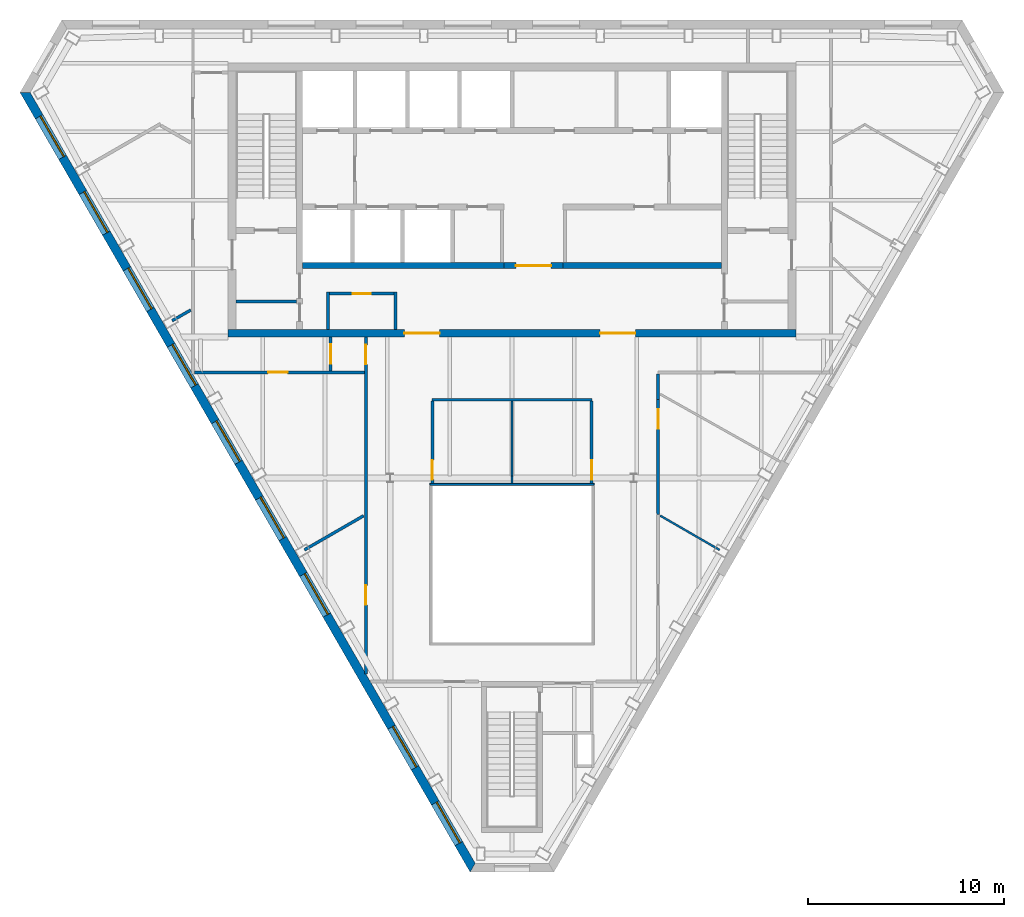
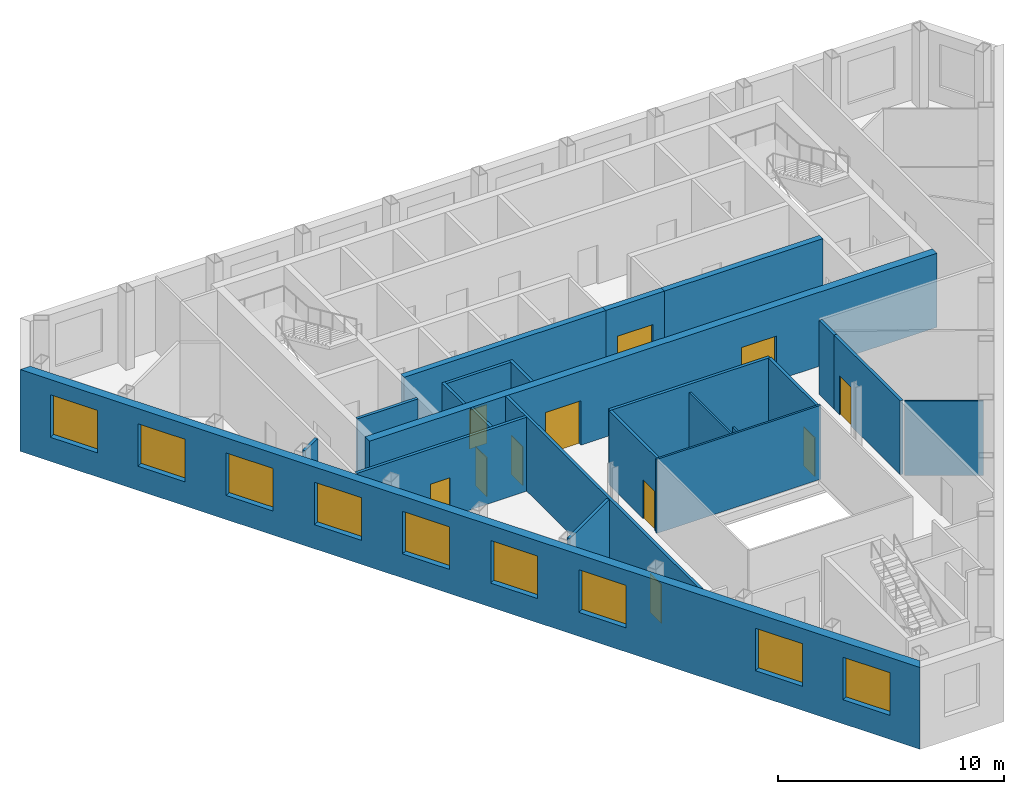
# One storey, part 4 of 9: 23 walls, 11 doors, 9 windows, 20 openings.
"""IFC4 building model written with IfcOpenShell, lengths in metres."""

from ifc_helpers import new_model, si_unit, direction, frame, frame_2d, origin, place, context, subcontext, project, spatial, polyline, rectangle, outline, extrude, material, layer, layer_set, type_object, element, fill, save


model = new_model("IFC4")

# Units and contexts
model_context = context("Model", 3, precision=1e-05, world=origin(), true_north=direction((0.0, 1.0)))
body_context = subcontext(model_context, "Body", "Model", "MODEL_VIEW")
ifc_project = project(units=[si_unit("LENGTHUNIT", "METRE"), si_unit("AREAUNIT", "SQUARE_METRE"), si_unit("VOLUMEUNIT", "CUBIC_METRE"), si_unit("PLANEANGLEUNIT", "RADIAN"), si_unit("MASSUNIT", "GRAM", prefix="KILO")], contexts=[model_context])

# Site, building, storey
site_placement = place(None, origin())
site = spatial("IfcSite", under=ifc_project, at=site_placement, CompositionType="ELEMENT")
building_placement = place(site_placement, origin())
building = spatial("IfcBuilding", under=site, at=building_placement, Name="Njiva Tower", CompositionType="ELEMENT")
storey_placement = place(building_placement, frame((0.0, 0.0, 325.2)))
storey = spatial("IfcBuildingStorey", under=building, at=storey_placement, Name="L74", CompositionType="ELEMENT", Elevation=325.2)

# Walls
ifc_material_1 = material(Name="Blockwork", Category="masonry")
ifc_layer_1 = layer(ifc_material_1, 0.15)
ifc_layer_set_1 = layer_set([ifc_layer_1], Name="Blockwork")
wall_type_1 = type_object("IfcWallType", Name="WT1 Compartment partition 150", PredefinedType="PARTITIONING", material=ifc_layer_set_1)
wall_1_placement = place(storey_placement, frame((-14.1, 5.825, 0.0), z_axis=(0.0, 0.0, 1.0), x_axis=(1.0, 0.0, 0.0)))
element("IfcWall", 1, at=wall_1_placement, inside=storey, type_object=wall_type_1, Name="Room wall A", PredefinedType="PARTITIONING", context=body_context, shape_type="SweptSolid", body=[
    extrude(rectangle(XDim=3.1, YDim=0.15, at=frame_2d((1.55, 0.0))), origin(), (0.0, 0.0, 1.0), 4.0),
])
for number, where, z_axis, x_axis, name in (
    (2, (-9.4, 4.4, 0.0), (0.0, 0.0, 1.0), (0.0, 1.0, 0.0), "First aid room wall west"),
    (3, (-5.95, 4.4, 0.0), (0.0, 0.0, 1.0), (0.0, 1.0, 0.0), "First aid room wall east"),
):
    element("IfcWall", number, at=place(storey_placement, frame(where, z_axis=z_axis, x_axis=x_axis)), inside=storey, type_object=wall_type_1, Name=name, PredefinedType="PARTITIONING", context=body_context, shape_type="SweptSolid", body=[
        extrude(rectangle(XDim=1.895, YDim=0.15, at=frame_2d((0.9475, 0.0))), origin(), (0.0, 0.0, 1.0), 4.0),
    ])

# Wall, opening, door
wall_2_placement = place(storey_placement, frame((-9.325, 6.22, 0.0), z_axis=(0.0, 0.0, 1.0), x_axis=(1.0, 0.0, 0.0)))
wall_2 = element("IfcWall", 4, at=wall_2_placement, inside=storey, type_object=wall_type_1, Name="First aid room wall north", PredefinedType="PARTITIONING", context=body_context, shape_type="SweptSolid", body=[
    extrude(rectangle(XDim=3.3, YDim=0.15, at=frame_2d((1.65, 0.0))), origin(), (0.0, 0.0, 1.0), 4.0),
])
opening_1_placement = place(wall_2_placement, frame((1.2, 0.0, 0.0)))
opening_1 = element("IfcOpeningElement", 5, at=opening_1_placement, cuts=wall_2, Name="Opening S25-D923", PredefinedType="OPENING", context=body_context, shape_type="SweptSolid", body=[
    extrude(rectangle(XDim=0.9, YDim=2.1, at=frame_2d((0.45, 1.05))), frame((0.0, 0.085, 0.0), z_axis=(0.0, -1.0, 0.0), x_axis=(1.0, 0.0, 0.0)), (0.0, 0.0, 1.0), 0.17),
])
ifc_material_2 = material(Name="Steel fire door, painted", Category="steel")
door_type_1 = type_object("IfcDoorType", Name="D6 Fire-rated door 900x2100", OperationType="SINGLE_SWING_LEFT", PredefinedType="DOOR", material=ifc_material_2)
door_1_placement = place(opening_1_placement, origin())
door_1 = element("IfcDoor", 6, at=door_1_placement, inside=storey, type_object=door_type_1, Name="First aid room door", OperationType="SINGLE_SWING_RIGHT", OverallHeight=2.1, OverallWidth=0.9, PredefinedType="DOOR", context=body_context, shape_type="SweptSolid", body=[
    extrude(rectangle(XDim=0.9, YDim=2.1, at=frame_2d((0.45, 1.05))), frame((0.0, 0.025, 0.0), z_axis=(0.0, -1.0, 0.0), x_axis=(1.0, 0.0, 0.0)), (0.0, 0.0, 1.0), 0.05),
])
fill(opening_1, door_1)

# Wall, openings, doors
ifc_material_3 = material(Name="Concrete C60/75", Category="concrete")
ifc_layer_2 = layer(ifc_material_3, 0.4)
ifc_layer_set_2 = layer_set([ifc_layer_2], Name="Concrete C60/75")
wall_type_2 = type_object("IfcWallType", Name="WT11 Core wall 400", PredefinedType="SHEAR", material=ifc_layer_set_2)
wall_3_placement = place(storey_placement, frame((-14.5, 4.2, 0.0), z_axis=(0.0, 0.0, 1.0), x_axis=(1.0, 0.0, 0.0)))
wall_3 = element("IfcWall", 7, at=wall_3_placement, inside=storey, type_object=wall_type_2, Name="Core wall south", PredefinedType="SHEAR", context=body_context, shape_type="SweptSolid", body=[
    extrude(rectangle(XDim=29.0, YDim=0.4, at=frame_2d((14.5, 0.0))), origin(), (0.0, 0.0, 1.0), 4.0),
])
opening_2_placement = place(wall_3_placement, frame((9.0, 0.0, 0.0)))
opening_2 = element("IfcOpeningElement", 8, at=opening_2_placement, cuts=wall_3, Name="Opening S25-D925", PredefinedType="OPENING", context=body_context, shape_type="SweptSolid", body=[
    extrude(rectangle(XDim=1.8, YDim=2.4, at=frame_2d((0.9, 1.2))), frame((0.0, 0.21, 0.0), z_axis=(0.0, -1.0, 0.0), x_axis=(1.0, 0.0, 0.0)), (0.0, 0.0, 1.0), 0.42),
])
opening_3_placement = place(wall_3_placement, frame((19.0, 0.0, 0.0)))
opening_3 = element("IfcOpeningElement", 9, at=opening_3_placement, cuts=wall_3, Name="Opening S25-D926", PredefinedType="OPENING", context=body_context, shape_type="SweptSolid", body=[
    extrude(rectangle(XDim=1.8, YDim=2.4, at=frame_2d((0.9, 1.2))), frame((0.0, 0.21, 0.0), z_axis=(0.0, -1.0, 0.0), x_axis=(1.0, 0.0, 0.0)), (0.0, 0.0, 1.0), 0.42),
])
ifc_material_4 = material(Name="Steel and glass door", Category="steel")
door_type_2 = type_object("IfcDoorType", Name="D3 Core entrance door 1800x2400", OperationType="DOUBLE_DOOR_SINGLE_SWING", PredefinedType="DOOR", material=ifc_material_4)
door_2_placement = place(opening_2_placement, origin())
door_2 = element("IfcDoor", 10, at=door_2_placement, inside=storey, type_object=door_type_2, Name="Core entrance door", OperationType="DOUBLE_DOOR_SINGLE_SWING", OverallHeight=2.4, OverallWidth=1.8, PredefinedType="DOOR", context=body_context, shape_type="SweptSolid", body=[
    extrude(rectangle(XDim=1.8, YDim=2.4, at=frame_2d((0.9, 1.2))), frame((0.0, 0.025, 0.0), z_axis=(0.0, -1.0, 0.0), x_axis=(1.0, 0.0, 0.0)), (0.0, 0.0, 1.0), 0.05),
])
fill(opening_2, door_2)
door_3_placement = place(opening_3_placement, origin())
door_3 = element("IfcDoor", 11, at=door_3_placement, inside=storey, type_object=door_type_2, Name="Core entrance door", OperationType="DOUBLE_DOOR_SINGLE_SWING", OverallHeight=2.4, OverallWidth=1.8, PredefinedType="DOOR", context=body_context, shape_type="SweptSolid", body=[
    extrude(rectangle(XDim=1.8, YDim=2.4, at=frame_2d((0.9, 1.2))), frame((0.0, 0.025, 0.0), z_axis=(0.0, -1.0, 0.0), x_axis=(1.0, 0.0, 0.0)), (0.0, 0.0, 1.0), 0.05),
])
fill(opening_3, door_3)

# Walls
ifc_material_5 = material(Name="Gypsum board on steel studs", Category="gypsum")
ifc_layer_3 = layer(ifc_material_5, 0.1)
ifc_layer_set_3 = layer_set([ifc_layer_3], Name="Gypsum board on steel studs")
wall_type_3 = type_object("IfcWallType", Name="WT20 Gypsum partition 100", PredefinedType="PARTITIONING", material=ifc_layer_set_3)
wall_4_placement = place(storey_placement, frame((-0.001, 0.725, 0.0), z_axis=(0.0, 0.0, 1.0), x_axis=(0.000235294111, -0.999999972318, 0.0)))
element("IfcWall", 12, at=wall_4_placement, inside=storey, type_object=wall_type_3, Name="Partition S25-P014", PredefinedType="PARTITIONING", context=body_context, shape_type="SweptSolid", body=[
    extrude(rectangle(XDim=3.825, YDim=0.1, at=frame_2d((1.9125, 0.0))), origin(), (0.0, 0.0, 1.0), 3.55),
])
wall_5_placement = place(storey_placement, frame((-0.0001, -3.1, 0.0), z_axis=(0.0, 0.0, 1.0), x_axis=(0.000263157886, -0.999999965374, 0.0)))
element("IfcWall", 13, at=wall_5_placement, inside=storey, type_object=wall_type_3, Name="Partition S25-P014A", PredefinedType="PARTITIONING", context=body_context, shape_type="SweptSolid", body=[
    extrude(rectangle(XDim=0.38, YDim=0.1, at=frame_2d((0.19, 0.0))), origin(), (0.0, 0.0, 1.0), 4.0),
])
wall_6_placement = place(storey_placement, frame((7.57, -5.121, 0.0), z_axis=(0.0, 0.0, 1.0), x_axis=(0.865933726818, -0.500158755556, 0.0)))
element("IfcWall", 14, at=wall_6_placement, inside=storey, type_object=wall_type_3, Name="Partition S25-P022", PredefinedType="PARTITIONING", context=body_context, shape_type="SweptSolid", body=[
    extrude(rectangle(XDim=3.5049, YDim=0.1, at=frame_2d((1.7524, 0.0))), origin(), (0.0, 0.0, 1.0), 4.0),
])
ifc_layer_4 = layer(ifc_material_5, 0.15)
ifc_layer_set_4 = layer_set([ifc_layer_4], Name="Gypsum board on steel studs")
wall_type_4 = type_object("IfcWallType", Name="WT21 Compartment wall 150", PredefinedType="PARTITIONING", material=ifc_layer_set_4)
wall_7_placement = place(storey_placement, frame((-17.365, 4.836, 0.0), z_axis=(0.0, 0.0, 1.0), x_axis=(0.86650329071, 0.499171360545, 0.0)))
element("IfcWall", 15, at=wall_7_placement, inside=storey, type_object=wall_type_4, Name="Partition S25-P003", PredefinedType="PARTITIONING", context=body_context, shape_type="SweptSolid", body=[
    extrude(rectangle(XDim=1.0998, YDim=0.15, at=frame_2d((0.5499, 0.0))), origin(), (0.0, 0.0, 1.0), 4.0),
])

# Wall, opening, door
wall_8_placement = place(storey_placement, frame((-16.225, 2.2, 0.0), z_axis=(0.0, 0.0, 1.0), x_axis=(1.0, 0.0, 0.0)))
wall_8 = element("IfcWall", 16, at=wall_8_placement, inside=storey, type_object=wall_type_4, Name="Partition S25-P006", PredefinedType="PARTITIONING", context=body_context, shape_type="SweptSolid", body=[
    extrude(rectangle(XDim=8.68, YDim=0.15, at=frame_2d((4.34, 0.0))), origin(), (0.0, 0.0, 1.0), 4.0),
])
opening_4_placement = place(wall_8_placement, frame((3.765, 0.0, 0.0)))
opening_4 = element("IfcOpeningElement", 17, at=opening_4_placement, cuts=wall_8, Name="Opening S25-D003", PredefinedType="OPENING", context=body_context, shape_type="SweptSolid", body=[
    extrude(rectangle(XDim=1.0, YDim=2.1, at=frame_2d((0.5, 1.05))), frame((0.0, 0.085, 0.0), z_axis=(0.0, -1.0, 0.0), x_axis=(1.0, 0.0, 0.0)), (0.0, 0.0, 1.0), 0.17),
])
ifc_material_6 = material(Name="Steel fire door set", Category="steel")
door_type_3 = type_object("IfcDoorType", Name="D37 Fire door 1000x2100", OperationType="SINGLE_SWING_LEFT", PredefinedType="DOOR", material=ifc_material_6)
door_4_placement = place(opening_4_placement, origin())
door_4 = element("IfcDoor", 18, at=door_4_placement, inside=storey, type_object=door_type_3, Name="Door S25-D003", OperationType="SINGLE_SWING_LEFT", OverallHeight=2.1, OverallWidth=1.0, PredefinedType="DOOR", context=body_context, shape_type="SweptSolid", body=[
    extrude(rectangle(XDim=1.0, YDim=2.1, at=frame_2d((0.5, 1.05))), frame((0.0, 0.025, 0.0), z_axis=(0.0, -1.0, 0.0), x_axis=(1.0, 0.0, 0.0)), (0.0, 0.0, 1.0), 0.05),
])
fill(opening_4, door_4)

# Wall
wall_9_placement = place(storey_placement, frame((-10.605, -6.873, 0.0), z_axis=(0.0, 0.0, 1.0), x_axis=(0.866190356265, 0.499714185023, 0.0)))
element("IfcWall", 19, at=wall_9_placement, inside=storey, type_object=wall_type_4, Name="Partition S25-P008", PredefinedType="PARTITIONING", context=body_context, shape_type="SweptSolid", body=[
    extrude(rectangle(XDim=3.49, YDim=0.15, at=frame_2d((1.745, 0.0))), origin(), (0.0, 0.0, 1.0), 4.0),
])

# Wall, opening, door
wall_10_placement = place(storey_placement, frame((-9.27, 2.275, 0.0), z_axis=(0.0, 0.0, 1.0), x_axis=(0.0, 1.0, 0.0)))
wall_10 = element("IfcWall", 20, at=wall_10_placement, inside=storey, type_object=wall_type_4, Name="Partition S25-P009", PredefinedType="PARTITIONING", context=body_context, shape_type="SweptSolid", body=[
    extrude(rectangle(XDim=1.725, YDim=0.15, at=frame_2d((0.8625, 0.0))), origin(), (0.0, 0.0, 1.0), 4.0),
])
opening_5_placement = place(wall_10_placement, frame((0.362, 0.0, 0.0)))
opening_5 = element("IfcOpeningElement", 21, at=opening_5_placement, cuts=wall_10, Name="Opening S25-D005", PredefinedType="OPENING", context=body_context, shape_type="SweptSolid", body=[
    extrude(rectangle(XDim=1.0, YDim=2.1, at=frame_2d((0.5, 1.05))), frame((0.0, 0.085, 0.0), z_axis=(0.0, -1.0, 0.0), x_axis=(1.0, 0.0, 0.0)), (0.0, 0.0, 1.0), 0.17),
])
door_5_placement = place(opening_5_placement, origin())
door_5 = element("IfcDoor", 22, at=door_5_placement, inside=storey, type_object=door_type_3, Name="Door S25-D005", OperationType="SINGLE_SWING_RIGHT", OverallHeight=2.1, OverallWidth=1.0, PredefinedType="DOOR", context=body_context, shape_type="SweptSolid", body=[
    extrude(rectangle(XDim=1.0, YDim=2.1, at=frame_2d((0.5, 1.05))), frame((0.0, 0.025, 0.0), z_axis=(0.0, -1.0, 0.0), x_axis=(1.0, 0.0, 0.0)), (0.0, 0.0, 1.0), 0.05),
])
fill(opening_5, door_5)

# Wall, openings, doors
wall_11_placement = place(storey_placement, frame((-7.47, -13.203, 0.0), z_axis=(0.0, 0.0, 1.0), x_axis=(0.0, 1.0, 0.0)))
wall_11 = element("IfcWall", 23, at=wall_11_placement, inside=storey, type_object=wall_type_4, Name="Partition S25-P010", PredefinedType="PARTITIONING", context=body_context, shape_type="SweptSolid", body=[
    extrude(rectangle(XDim=17.203, YDim=0.15, at=frame_2d((8.6015, 0.0))), origin(), (0.0, 0.0, 1.0), 4.0),
])
opening_6_placement = place(wall_11_placement, frame((3.519, 0.0, 0.0)))
opening_6 = element("IfcOpeningElement", 24, at=opening_6_placement, cuts=wall_11, Name="Opening S25-D006", PredefinedType="OPENING", context=body_context, shape_type="SweptSolid", body=[
    extrude(rectangle(XDim=1.0, YDim=2.1, at=frame_2d((0.5, 1.05))), frame((0.0, 0.085, 0.0), z_axis=(0.0, -1.0, 0.0), x_axis=(1.0, 0.0, 0.0)), (0.0, 0.0, 1.0), 0.17),
])
opening_7_placement = place(wall_11_placement, frame((15.803, 0.0, 0.0)))
opening_7 = element("IfcOpeningElement", 25, at=opening_7_placement, cuts=wall_11, Name="Opening S25-D007", PredefinedType="OPENING", context=body_context, shape_type="SweptSolid", body=[
    extrude(rectangle(XDim=1.0, YDim=2.1, at=frame_2d((0.5, 1.05))), frame((0.0, 0.085, 0.0), z_axis=(0.0, -1.0, 0.0), x_axis=(1.0, 0.0, 0.0)), (0.0, 0.0, 1.0), 0.17),
])
door_6_placement = place(opening_6_placement, origin())
door_6 = element("IfcDoor", 26, at=door_6_placement, inside=storey, type_object=door_type_3, Name="Door S25-D006", OperationType="SINGLE_SWING_RIGHT", OverallHeight=2.1, OverallWidth=1.0, PredefinedType="DOOR", context=body_context, shape_type="SweptSolid", body=[
    extrude(rectangle(XDim=1.0, YDim=2.1, at=frame_2d((0.5, 1.05))), frame((0.0, 0.025, 0.0), z_axis=(0.0, -1.0, 0.0), x_axis=(1.0, 0.0, 0.0)), (0.0, 0.0, 1.0), 0.05),
])
fill(opening_6, door_6)
door_7_placement = place(opening_7_placement, origin())
door_7 = element("IfcDoor", 27, at=door_7_placement, inside=storey, type_object=door_type_3, Name="Door S25-D007", OperationType="SINGLE_SWING_LEFT", OverallHeight=2.1, OverallWidth=1.0, PredefinedType="DOOR", context=body_context, shape_type="SweptSolid", body=[
    extrude(rectangle(XDim=1.0, YDim=2.1, at=frame_2d((0.5, 1.05))), frame((0.0, 0.025, 0.0), z_axis=(0.0, -1.0, 0.0), x_axis=(1.0, 0.0, 0.0)), (0.0, 0.0, 1.0), 0.05),
])
fill(opening_7, door_7)

# Wall
wall_12_placement = place(storey_placement, frame((-4.082, 0.8, 0.0), z_axis=(0.0, 0.0, 1.0), x_axis=(1.0, 0.0, 0.0)))
element("IfcWall", 28, at=wall_12_placement, inside=storey, type_object=wall_type_4, Name="Partition S25-P012", PredefinedType="PARTITIONING", context=body_context, shape_type="SweptSolid", body=[
    extrude(rectangle(XDim=8.163, YDim=0.15, at=frame_2d((4.0815, 0.0))), origin(), (0.0, 0.0, 1.0), 4.0),
])

# Wall, opening, door
wall_13_placement = place(storey_placement, frame((-4.07, 0.725, 0.0), z_axis=(0.0, 0.0, 1.0), x_axis=(0.000237812122, -0.999999971723, 0.0)))
wall_13 = element("IfcWall", 29, at=wall_13_placement, inside=storey, type_object=wall_type_4, Name="Partition S25-P013", PredefinedType="PARTITIONING", context=body_context, shape_type="SweptSolid", body=[
    extrude(rectangle(XDim=4.205, YDim=0.15, at=frame_2d((2.1025, 0.0))), origin(), (0.0, 0.0, 1.0), 4.0),
])
opening_8_placement = place(wall_13_placement, frame((3.005, 0.0, 0.0)))
opening_8 = element("IfcOpeningElement", 30, at=opening_8_placement, cuts=wall_13, Name="Opening S25-D009", PredefinedType="OPENING", context=body_context, shape_type="SweptSolid", body=[
    extrude(rectangle(XDim=1.0, YDim=2.1, at=frame_2d((0.5, 1.05))), frame((0.0, 0.085, 0.0), z_axis=(0.0, -1.0, 0.0), x_axis=(1.0, 0.0, 0.0)), (0.0, 0.0, 1.0), 0.17),
])
door_8_placement = place(opening_8_placement, origin())
door_8 = element("IfcDoor", 31, at=door_8_placement, inside=storey, type_object=door_type_3, Name="Door S25-D009", OperationType="SINGLE_SWING_LEFT", OverallHeight=2.1, OverallWidth=1.0, PredefinedType="DOOR", context=body_context, shape_type="SweptSolid", body=[
    extrude(rectangle(XDim=1.0, YDim=2.1, at=frame_2d((0.5, 1.05))), frame((0.0, 0.025, 0.0), z_axis=(0.0, -1.0, 0.0), x_axis=(1.0, 0.0, 0.0)), (0.0, 0.0, 1.0), 0.05),
])
fill(opening_8, door_8)

wall_14_placement = place(storey_placement, frame((4.069, 0.725, 0.0), z_axis=(0.0, 0.0, 1.0), x_axis=(0.000237812122, -0.999999971723, 0.0)))
wall_14 = element("IfcWall", 32, at=wall_14_placement, inside=storey, type_object=wall_type_4, Name="Partition S25-P015", PredefinedType="PARTITIONING", context=body_context, shape_type="SweptSolid", body=[
    extrude(rectangle(XDim=4.205, YDim=0.15, at=frame_2d((2.1025, 0.0))), origin(), (0.0, 0.0, 1.0), 4.0),
])
opening_9_placement = place(wall_14_placement, frame((3.005, 0.0, 0.0)))
opening_9 = element("IfcOpeningElement", 33, at=opening_9_placement, cuts=wall_14, Name="Opening S25-D010", PredefinedType="OPENING", context=body_context, shape_type="SweptSolid", body=[
    extrude(rectangle(XDim=1.0, YDim=2.1, at=frame_2d((0.5, 1.05))), frame((0.0, 0.085, 0.0), z_axis=(0.0, -1.0, 0.0), x_axis=(1.0, 0.0, 0.0)), (0.0, 0.0, 1.0), 0.17),
])
door_9_placement = place(opening_9_placement, origin())
door_9 = element("IfcDoor", 34, at=door_9_placement, inside=storey, type_object=door_type_3, Name="Door S25-D010", OperationType="SINGLE_SWING_RIGHT", OverallHeight=2.1, OverallWidth=1.0, PredefinedType="DOOR", context=body_context, shape_type="SweptSolid", body=[
    extrude(rectangle(XDim=1.0, YDim=2.1, at=frame_2d((0.5, 1.05))), frame((0.0, 0.025, 0.0), z_axis=(0.0, -1.0, 0.0), x_axis=(1.0, 0.0, 0.0)), (0.0, 0.0, 1.0), 0.05),
])
fill(opening_9, door_9)

wall_15_placement = place(storey_placement, frame((7.47, 0.812, 0.0), z_axis=(0.0, 0.0, 1.0), x_axis=(0.000170502981, -0.999999985464, 0.0)))
wall_15 = element("IfcWall", 35, at=wall_15_placement, inside=storey, type_object=wall_type_4, Name="Partition S25-P018", PredefinedType="PARTITIONING", context=body_context, shape_type="SweptSolid", body=[
    extrude(rectangle(XDim=5.865, YDim=0.15, at=frame_2d((2.9325, 0.0))), origin(), (0.0, 0.0, 1.0), 4.0),
])
opening_10_placement = place(wall_15_placement, frame((0.504, 0.0, 0.0)))
opening_10 = element("IfcOpeningElement", 36, at=opening_10_placement, cuts=wall_15, Name="Opening S25-D012", PredefinedType="OPENING", context=body_context, shape_type="SweptSolid", body=[
    extrude(rectangle(XDim=1.0, YDim=2.1, at=frame_2d((0.5, 1.05))), frame((0.0, 0.085, 0.0), z_axis=(0.0, -1.0, 0.0), x_axis=(1.0, 0.0, 0.0)), (0.0, 0.0, 1.0), 0.17),
])
door_10_placement = place(opening_10_placement, origin())
door_10 = element("IfcDoor", 37, at=door_10_placement, inside=storey, type_object=door_type_3, Name="Door S25-D012", OperationType="SINGLE_SWING_RIGHT", OverallHeight=2.1, OverallWidth=1.0, PredefinedType="DOOR", context=body_context, shape_type="SweptSolid", body=[
    extrude(rectangle(XDim=1.0, YDim=2.1, at=frame_2d((0.5, 1.05))), frame((0.0, 0.025, 0.0), z_axis=(0.0, -1.0, 0.0), x_axis=(1.0, 0.0, 0.0)), (0.0, 0.0, 1.0), 0.05),
])
fill(opening_10, door_10)

# Wall
wall_16_placement = place(storey_placement, frame((7.47, 0.812, 0.0), z_axis=(0.0, 0.0, 1.0), x_axis=(0.0, 1.0, 0.0)))
element("IfcWall", 38, at=wall_16_placement, inside=storey, type_object=wall_type_4, Name="Partition S25-P019", PredefinedType="PARTITIONING", context=body_context, shape_type="SweptSolid", body=[
    extrude(rectangle(XDim=1.313, YDim=0.15, at=frame_2d((0.6565, 0.0))), origin(), (0.0, 0.0, 1.0), 4.0),
])

# Wall, opening, door
ifc_layer_5 = layer(ifc_material_1, 0.3)
ifc_layer_set_5 = layer_set([ifc_layer_5], Name="Blockwork")
wall_type_5 = type_object("IfcWallType", Name="WT5 Lobby partition 300", PredefinedType="PARTITIONING", material=ifc_layer_set_5)
wall_17_placement = place(storey_placement, frame((-0.4, 7.65, 0.0), z_axis=(0.0, 0.0, 1.0), x_axis=(1.0, 0.0, 0.0)))
wall_17 = element("IfcWall", 39, at=wall_17_placement, inside=storey, type_object=wall_type_5, Name="Lift lobby screen wall", PredefinedType="PARTITIONING", context=body_context, shape_type="SweptSolid", body=[
    extrude(rectangle(XDim=3.0, YDim=0.3, at=frame_2d((1.5, 0.0))), origin(), (0.0, 0.0, 1.0), 4.0),
])
opening_11_placement = place(wall_17_placement, frame((0.6, 0.0, 0.0)))
opening_11 = element("IfcOpeningElement", 40, at=opening_11_placement, cuts=wall_17, Name="Opening S25-D924", PredefinedType="OPENING", context=body_context, shape_type="SweptSolid", body=[
    extrude(rectangle(XDim=1.8, YDim=2.4, at=frame_2d((0.9, 1.2))), frame((0.0, 0.16, 0.0), z_axis=(0.0, -1.0, 0.0), x_axis=(1.0, 0.0, 0.0)), (0.0, 0.0, 1.0), 0.32),
])
door_11_placement = place(opening_11_placement, origin())
door_11 = element("IfcDoor", 41, at=door_11_placement, inside=storey, type_object=door_type_2, Name="Core entrance door", OperationType="DOUBLE_DOOR_SINGLE_SWING", OverallHeight=2.4, OverallWidth=1.8, PredefinedType="DOOR", context=body_context, shape_type="SweptSolid", body=[
    extrude(rectangle(XDim=1.8, YDim=2.4, at=frame_2d((0.9, 1.2))), frame((0.0, 0.025, 0.0), z_axis=(0.0, -1.0, 0.0), x_axis=(1.0, 0.0, 0.0)), (0.0, 0.0, 1.0), 0.05),
])
fill(opening_11, door_11)

# Walls
ifc_material_7 = material(Name="Concrete C40/50", Category="concrete")
ifc_layer_6 = layer(ifc_material_7, 0.3)
ifc_layer_set_6 = layer_set([ifc_layer_6], Name="Concrete C40/50")
wall_type_6 = type_object("IfcWallType", Name="WT7 Lift shaft wall 300", PredefinedType="SHEAR", material=ifc_layer_set_6)
wall_18_placement = place(storey_placement, frame((-10.7, 7.65, 0.0), z_axis=(0.0, 0.0, 1.0), x_axis=(1.0, 0.0, 0.0)))
element("IfcWall", 42, at=wall_18_placement, inside=storey, type_object=wall_type_6, Name="Shaft wall south row back W", PredefinedType="SHEAR", context=body_context, shape_type="SweptSolid", body=[
    extrude(rectangle(XDim=10.3, YDim=0.3, at=frame_2d((5.15, 0.0))), origin(), (0.0, 0.0, 1.0), 4.0),
])
wall_19_placement = place(storey_placement, frame((2.6, 7.65, 0.0), z_axis=(0.0, 0.0, 1.0), x_axis=(1.0, 0.0, 0.0)))
element("IfcWall", 43, at=wall_19_placement, inside=storey, type_object=wall_type_6, Name="Shaft wall south row back E", PredefinedType="SHEAR", context=body_context, shape_type="SweptSolid", body=[
    extrude(rectangle(XDim=8.1, YDim=0.3, at=frame_2d((4.05, 0.0))), origin(), (0.0, 0.0, 1.0), 4.0),
])

# Wall, openings, windows
ifc_material_8 = material(Name="Brick masonry", Category="masonry")
ifc_layer_7 = layer(ifc_material_8, 0.45)
ifc_layer_set_7 = layer_set([ifc_layer_7], Name="Brick masonry")
wall_type_7 = type_object("IfcWallType", Name="WT90 Brick pier and spandrel wall 450", PredefinedType="SOLIDWALL", material=ifc_layer_set_7)
wall_20_placement = place(storey_placement, frame((-24.8752, 16.4934, -0.4), z_axis=(0.0, 0.0, 1.0), x_axis=(0.500000141277, -0.866025322218, 0.0)))
wall_20 = element("IfcWall", 44, at=wall_20_placement, inside=storey, type_object=wall_type_7, Name="Facade wall SW", PredefinedType="SOLIDWALL", context=body_context, shape_type="SweptSolid", body=[
    extrude(outline(polyline([(-0.1299, -0.225), (45.8601, -0.225), (45.6003, 0.225), (0.1299, 0.225), (-0.1299, -0.225)])), origin(), (0.0, 0.0, 1.0), 4.42),
])
opening_12_placement = place(wall_20_placement, frame((1.4237, 0.0, 1.3)))
opening_12 = element("IfcOpeningElement", 45, at=opening_12_placement, cuts=wall_20, Name="Opening S25-W09", PredefinedType="OPENING", context=body_context, shape_type="SweptSolid", body=[
    extrude(rectangle(XDim=2.4, YDim=2.3, at=frame_2d((1.2, 1.15))), frame((0.0, 0.235, 0.0), z_axis=(0.0, -1.0, 0.0), x_axis=(1.0, 0.0, 0.0)), (0.0, 0.0, 1.0), 0.47),
])
opening_13_placement = place(wall_20_placement, frame((5.8919, 0.0, 1.3)))
opening_13 = element("IfcOpeningElement", 46, at=opening_13_placement, cuts=wall_20, Name="Opening S25-W10", PredefinedType="OPENING", context=body_context, shape_type="SweptSolid", body=[
    extrude(rectangle(XDim=2.4, YDim=2.3, at=frame_2d((1.2, 1.15))), frame((0.0, 0.235, 0.0), z_axis=(0.0, -1.0, 0.0), x_axis=(1.0, 0.0, 0.0)), (0.0, 0.0, 1.0), 0.47),
])
opening_14_placement = place(wall_20_placement, frame((10.3985, 0.0, 1.3)))
opening_14 = element("IfcOpeningElement", 47, at=opening_14_placement, cuts=wall_20, Name="Opening S25-W11", PredefinedType="OPENING", context=body_context, shape_type="SweptSolid", body=[
    extrude(rectangle(XDim=2.4, YDim=2.3, at=frame_2d((1.2, 1.15))), frame((0.0, 0.235, 0.0), z_axis=(0.0, -1.0, 0.0), x_axis=(1.0, 0.0, 0.0)), (0.0, 0.0, 1.0), 0.47),
])
opening_15_placement = place(wall_20_placement, frame((14.9052, 0.0, 1.3)))
opening_15 = element("IfcOpeningElement", 48, at=opening_15_placement, cuts=wall_20, Name="Opening S25-W12", PredefinedType="OPENING", context=body_context, shape_type="SweptSolid", body=[
    extrude(rectangle(XDim=2.4, YDim=2.3, at=frame_2d((1.2, 1.15))), frame((0.0, 0.235, 0.0), z_axis=(0.0, -1.0, 0.0), x_axis=(1.0, 0.0, 0.0)), (0.0, 0.0, 1.0), 0.47),
])
opening_16_placement = place(wall_20_placement, frame((19.4118, 0.0, 1.3)))
opening_16 = element("IfcOpeningElement", 49, at=opening_16_placement, cuts=wall_20, Name="Opening S25-W13", PredefinedType="OPENING", context=body_context, shape_type="SweptSolid", body=[
    extrude(rectangle(XDim=2.4, YDim=2.3, at=frame_2d((1.2, 1.15))), frame((0.0, 0.235, 0.0), z_axis=(0.0, -1.0, 0.0), x_axis=(1.0, 0.0, 0.0)), (0.0, 0.0, 1.0), 0.47),
])
opening_17_placement = place(wall_20_placement, frame((23.9184, 0.0, 1.3)))
opening_17 = element("IfcOpeningElement", 50, at=opening_17_placement, cuts=wall_20, Name="Opening S25-W14", PredefinedType="OPENING", context=body_context, shape_type="SweptSolid", body=[
    extrude(rectangle(XDim=2.4, YDim=2.3, at=frame_2d((1.2, 1.15))), frame((0.0, 0.235, 0.0), z_axis=(0.0, -1.0, 0.0), x_axis=(1.0, 0.0, 0.0)), (0.0, 0.0, 1.0), 0.47),
])
opening_18_placement = place(wall_20_placement, frame((28.425, 0.0, 1.3)))
opening_18 = element("IfcOpeningElement", 51, at=opening_18_placement, cuts=wall_20, Name="Opening S25-W15", PredefinedType="OPENING", context=body_context, shape_type="SweptSolid", body=[
    extrude(rectangle(XDim=2.4, YDim=2.3, at=frame_2d((1.2, 1.15))), frame((0.0, 0.235, 0.0), z_axis=(0.0, -1.0, 0.0), x_axis=(1.0, 0.0, 0.0)), (0.0, 0.0, 1.0), 0.47),
])
opening_19_placement = place(wall_20_placement, frame((37.4383, 0.0, 1.3)))
opening_19 = element("IfcOpeningElement", 52, at=opening_19_placement, cuts=wall_20, Name="Opening S25-W16", PredefinedType="OPENING", context=body_context, shape_type="SweptSolid", body=[
    extrude(rectangle(XDim=2.4, YDim=2.3, at=frame_2d((1.2, 1.15))), frame((0.0, 0.235, 0.0), z_axis=(0.0, -1.0, 0.0), x_axis=(1.0, 0.0, 0.0)), (0.0, 0.0, 1.0), 0.47),
])
opening_20_placement = place(wall_20_placement, frame((41.9065, 0.0, 1.3)))
opening_20 = element("IfcOpeningElement", 53, at=opening_20_placement, cuts=wall_20, Name="Opening S25-W17", PredefinedType="OPENING", context=body_context, shape_type="SweptSolid", body=[
    extrude(rectangle(XDim=2.4, YDim=2.3, at=frame_2d((1.2, 1.15))), frame((0.0, 0.235, 0.0), z_axis=(0.0, -1.0, 0.0), x_axis=(1.0, 0.0, 0.0)), (0.0, 0.0, 1.0), 0.47),
])
ifc_material_9 = material(Name="Clear glazing in aluminium frame", Category="aluminium")
window_type = type_object("IfcWindowType", Name="W91 Deep-set window 2400x2300", PartitioningType="SINGLE_PANEL", PredefinedType="WINDOW", material=ifc_material_9)
window_1_placement = place(opening_12_placement, origin())
window_1 = element("IfcWindow", 54, at=window_1_placement, inside=storey, type_object=window_type, Name="Window", OverallHeight=2.3, OverallWidth=2.4, PartitioningType="SINGLE_PANEL", PredefinedType="WINDOW", context=body_context, shape_type="SweptSolid", body=[
    extrude(rectangle(XDim=2.4, YDim=2.3, at=frame_2d((1.2, 1.15))), frame((0.0, 0.105, 0.0), z_axis=(0.0, -1.0, 0.0), x_axis=(1.0, 0.0, 0.0)), (0.0, 0.0, 1.0), 0.06),
])
fill(opening_12, window_1)
window_2_placement = place(opening_13_placement, origin())
window_2 = element("IfcWindow", 55, at=window_2_placement, inside=storey, type_object=window_type, Name="Window", OverallHeight=2.3, OverallWidth=2.4, PartitioningType="SINGLE_PANEL", PredefinedType="WINDOW", context=body_context, shape_type="SweptSolid", body=[
    extrude(rectangle(XDim=2.4, YDim=2.3, at=frame_2d((1.2, 1.15))), frame((0.0, 0.105, 0.0), z_axis=(0.0, -1.0, 0.0), x_axis=(1.0, 0.0, 0.0)), (0.0, 0.0, 1.0), 0.06),
])
fill(opening_13, window_2)
window_3_placement = place(opening_14_placement, origin())
window_3 = element("IfcWindow", 56, at=window_3_placement, inside=storey, type_object=window_type, Name="Window", OverallHeight=2.3, OverallWidth=2.4, PartitioningType="SINGLE_PANEL", PredefinedType="WINDOW", context=body_context, shape_type="SweptSolid", body=[
    extrude(rectangle(XDim=2.4, YDim=2.3, at=frame_2d((1.2, 1.15))), frame((0.0, 0.105, 0.0), z_axis=(0.0, -1.0, 0.0), x_axis=(1.0, 0.0, 0.0)), (0.0, 0.0, 1.0), 0.06),
])
fill(opening_14, window_3)
window_4_placement = place(opening_15_placement, origin())
window_4 = element("IfcWindow", 57, at=window_4_placement, inside=storey, type_object=window_type, Name="Window", OverallHeight=2.3, OverallWidth=2.4, PartitioningType="SINGLE_PANEL", PredefinedType="WINDOW", context=body_context, shape_type="SweptSolid", body=[
    extrude(rectangle(XDim=2.4, YDim=2.3, at=frame_2d((1.2, 1.15))), frame((0.0, 0.105, 0.0), z_axis=(0.0, -1.0, 0.0), x_axis=(1.0, 0.0, 0.0)), (0.0, 0.0, 1.0), 0.06),
])
fill(opening_15, window_4)
window_5_placement = place(opening_16_placement, origin())
window_5 = element("IfcWindow", 58, at=window_5_placement, inside=storey, type_object=window_type, Name="Window", OverallHeight=2.3, OverallWidth=2.4, PartitioningType="SINGLE_PANEL", PredefinedType="WINDOW", context=body_context, shape_type="SweptSolid", body=[
    extrude(rectangle(XDim=2.4, YDim=2.3, at=frame_2d((1.2, 1.15))), frame((0.0, 0.105, 0.0), z_axis=(0.0, -1.0, 0.0), x_axis=(1.0, 0.0, 0.0)), (0.0, 0.0, 1.0), 0.06),
])
fill(opening_16, window_5)
window_6_placement = place(opening_17_placement, origin())
window_6 = element("IfcWindow", 59, at=window_6_placement, inside=storey, type_object=window_type, Name="Window", OverallHeight=2.3, OverallWidth=2.4, PartitioningType="SINGLE_PANEL", PredefinedType="WINDOW", context=body_context, shape_type="SweptSolid", body=[
    extrude(rectangle(XDim=2.4, YDim=2.3, at=frame_2d((1.2, 1.15))), frame((0.0, 0.105, 0.0), z_axis=(0.0, -1.0, 0.0), x_axis=(1.0, 0.0, 0.0)), (0.0, 0.0, 1.0), 0.06),
])
fill(opening_17, window_6)
window_7_placement = place(opening_18_placement, origin())
window_7 = element("IfcWindow", 60, at=window_7_placement, inside=storey, type_object=window_type, Name="Window", OverallHeight=2.3, OverallWidth=2.4, PartitioningType="SINGLE_PANEL", PredefinedType="WINDOW", context=body_context, shape_type="SweptSolid", body=[
    extrude(rectangle(XDim=2.4, YDim=2.3, at=frame_2d((1.2, 1.15))), frame((0.0, 0.105, 0.0), z_axis=(0.0, -1.0, 0.0), x_axis=(1.0, 0.0, 0.0)), (0.0, 0.0, 1.0), 0.06),
])
fill(opening_18, window_7)
window_8_placement = place(opening_19_placement, origin())
window_8 = element("IfcWindow", 61, at=window_8_placement, inside=storey, type_object=window_type, Name="Window", OverallHeight=2.3, OverallWidth=2.4, PartitioningType="SINGLE_PANEL", PredefinedType="WINDOW", context=body_context, shape_type="SweptSolid", body=[
    extrude(rectangle(XDim=2.4, YDim=2.3, at=frame_2d((1.2, 1.15))), frame((0.0, 0.105, 0.0), z_axis=(0.0, -1.0, 0.0), x_axis=(1.0, 0.0, 0.0)), (0.0, 0.0, 1.0), 0.06),
])
fill(opening_19, window_8)
window_9_placement = place(opening_20_placement, origin())
window_9 = element("IfcWindow", 62, at=window_9_placement, inside=storey, type_object=window_type, Name="Window", OverallHeight=2.3, OverallWidth=2.4, PartitioningType="SINGLE_PANEL", PredefinedType="WINDOW", context=body_context, shape_type="SweptSolid", body=[
    extrude(rectangle(XDim=2.4, YDim=2.3, at=frame_2d((1.2, 1.15))), frame((0.0, 0.105, 0.0), z_axis=(0.0, -1.0, 0.0), x_axis=(1.0, 0.0, 0.0)), (0.0, 0.0, 1.0), 0.06),
])
fill(opening_20, window_9)

# Wall
ifc_material_10 = material(Name="Fire-resisting glazing EI 90", Category="glass")
ifc_layer_8 = layer(ifc_material_10, 0.1)
ifc_layer_set_8 = layer_set([ifc_layer_8], Name="Fire-resisting glazing EI 90")
wall_type_8 = type_object("IfcWallType", Name="WT95 Fire-resisting glazed screen EI 90", PredefinedType="PARTITIONING", material=ifc_layer_set_8)
wall_21_placement = place(storey_placement, frame((4.19, -3.53, 0.0), z_axis=(0.0, 0.0, 1.0), x_axis=(-1.0, 0.0, 0.0)))
element("IfcWall", 63, at=wall_21_placement, inside=storey, type_object=wall_type_8, Name="Atrium fire screen north", PredefinedType="PARTITIONING", context=body_context, shape_type="SweptSolid", body=[
    extrude(rectangle(XDim=8.38, YDim=0.1, at=frame_2d((4.19, 0.0))), origin(), (0.0, 0.0, 1.0), 4.0),
])

save(model, "model.ifc")
